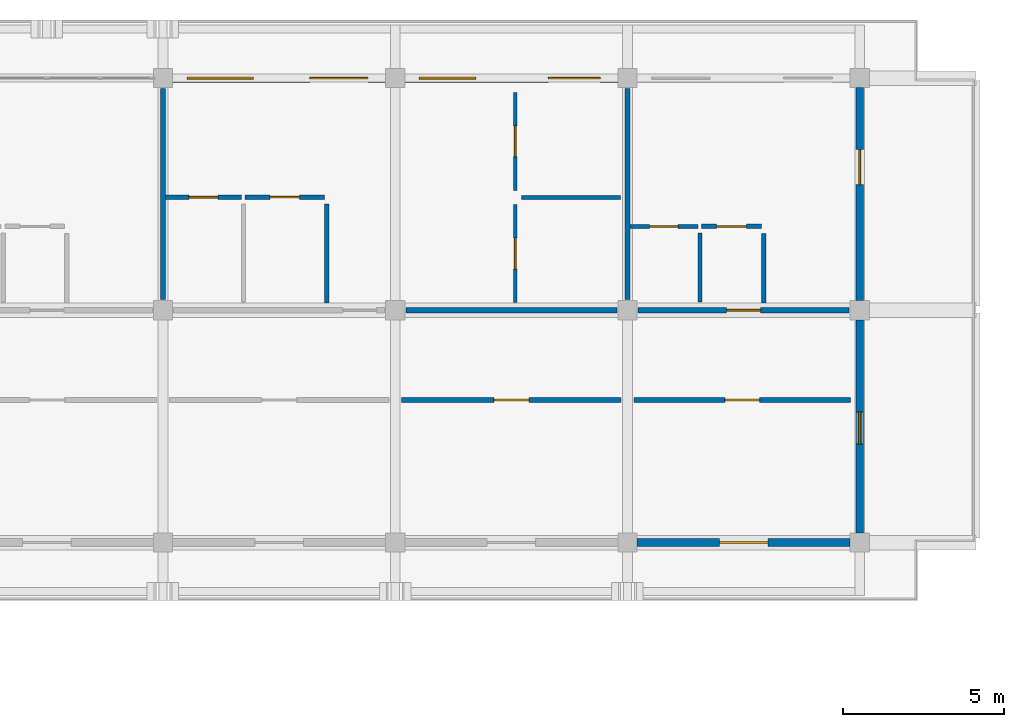
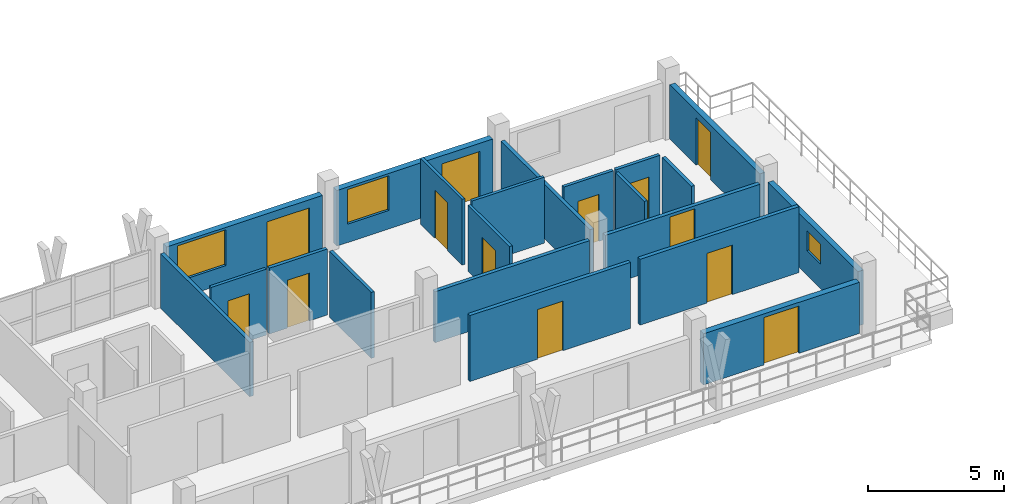
# One storey, part 42 of 65: 21 walls, 13 doors, 3 windows, 16 openings.
"""IFC4 building model written with IfcOpenShell, lengths in metres."""

from ifc_helpers import new_model, si_unit, direction, frame, frame_2d, origin, place, context, subcontext, project, spatial, rectangle, extrude, material, layer, layer_set, type_object, element, fill, save


model = new_model("IFC4")

# Units and contexts
model_context = context("Model", 3, precision=1e-05, world=origin(), true_north=direction((0.0, 1.0)))
body_context = subcontext(model_context, "Body", "Model", "MODEL_VIEW")
ifc_project = project(units=[si_unit("LENGTHUNIT", "METRE"), si_unit("AREAUNIT", "SQUARE_METRE"), si_unit("VOLUMEUNIT", "CUBIC_METRE"), si_unit("PLANEANGLEUNIT", "RADIAN"), si_unit("MASSUNIT", "GRAM", prefix="KILO")], contexts=[model_context])

# Site, building, storey
site_placement = place(None, origin())
site = spatial("IfcSite", under=ifc_project, at=site_placement, CompositionType="ELEMENT")
building_placement = place(site_placement, origin())
building = spatial("IfcBuilding", under=site, at=building_placement, Name="Suanplinth Sawtooth Commons", CompositionType="ELEMENT")
storey_placement = place(building_placement, frame((0.0, 0.0, 28.300048828125)))
storey = spatial("IfcBuildingStorey", under=building, at=storey_placement, Name="L08", CompositionType="ELEMENT", Elevation=28.300048828125)

# Wall, openings, door, window
ifc_material_1 = material(Name="Precast concrete C40/50", Category="concrete")
ifc_layer_1 = layer(ifc_material_1, 0.260009765625, Name="Insulated precast courtyard facade wall 260mm")
ifc_layer_set_1 = layer_set([ifc_layer_1], Name="Precast concrete C40/50")
wall_type_1 = type_object("IfcWallType", Name="W-EX02", PredefinedType="ELEMENTEDWALL", material=ifc_layer_set_1)
wall_1_placement = place(storey_placement, frame((79.5, 122.39990234375, 0.0), z_axis=(0.0, 0.0, 1.0), x_axis=(1.0, 0.0, 0.0)))
wall_1 = element("IfcWall", 1, at=wall_1_placement, inside=storey, type_object=wall_type_1, Name="Facade Wall W-L08-A-N-9", PredefinedType="ELEMENTEDWALL", context=body_context, shape_type="SweptSolid", body=[
    extrude(rectangle(XDim=6.60009765625, YDim=0.260009765625, at=frame_2d((3.300048828125, 0.0))), origin(), (0.0, 0.0, 1.0), 2.48486328125),
])
opening_1_placement = place(wall_1_placement, frame((4.25, 0.0, 0.0)))
opening_1 = element("IfcOpeningElement", 2, at=opening_1_placement, cuts=wall_1, Name="Opening ED0634", PredefinedType="OPENING", context=body_context, shape_type="SweptSolid", body=[
    extrude(rectangle(XDim=1.800048828125, YDim=2.1201171875, at=frame_2d((0.89990234375, 1.06005859375))), frame((0.0, 0.14501953125, 0.0), z_axis=(0.0, -1.0, 0.0), x_axis=(1.0, 0.0, 0.0)), (0.0, 0.0, 1.0), 0.289794921875),
])
opening_2_placement = place(wall_1_placement, frame((0.449951171875, 0.0, 0.77490234375)))
opening_2 = element("IfcOpeningElement", 3, at=opening_2_placement, cuts=wall_1, Name="Opening W0716", PredefinedType="OPENING", context=body_context, shape_type="SweptSolid", body=[
    extrude(rectangle(XDim=2.050048828125, YDim=1.60009765625, at=frame_2d((1.02490234375, 0.800048828125))), frame((0.0, 0.14501953125, 0.0), z_axis=(0.0, -1.0, 0.0), x_axis=(1.0, 0.0, 0.0)), (0.0, 0.0, 1.0), 0.289794921875),
])
ifc_material_2 = material(Name="Anodized aluminium and low-E glass", Category="aluminium")
door_type_1 = type_object("IfcDoorType", Name="SD-01", OperationType="SLIDING_TO_LEFT", PredefinedType="DOOR", material=ifc_material_2)
door_1_placement = place(opening_1_placement, frame((1.800048828125, 0.0, 0.0), z_axis=(0.0, 0.0, 1.0), x_axis=(-1.0, 0.0, 0.0)))
door_1 = element("IfcDoor", 4, at=door_1_placement, inside=storey, type_object=door_type_1, Name="Balcony Sliding Door L08-A-N-9", OperationType="SLIDING_TO_LEFT", OverallHeight=2.1201171875, OverallWidth=1.800048828125, PredefinedType="DOOR", context=body_context, shape_type="SweptSolid", body=[
    extrude(rectangle(XDim=1.800048828125, YDim=2.1201171875, at=frame_2d((0.89990234375, 1.06005859375))), frame((0.0, 0.02490234375, 0.0), z_axis=(0.0, -1.0, 0.0), x_axis=(1.0, 0.0, 0.0)), (0.0, 0.0, 1.0), 0.050048828125),
])
fill(opening_1, door_1)
ifc_material_3 = material(Name="Thermally broken aluminium and low-E double glazing", Category="aluminium")
window_type_1 = type_object("IfcWindowType", Name="WN-25", PartitioningType="DOUBLE_PANEL_VERTICAL", PredefinedType="WINDOW", material=ifc_material_3)
window_1_placement = place(opening_2_placement, origin())
window_1 = element("IfcWindow", 5, at=window_1_placement, inside=storey, type_object=window_type_1, Name="Window L08-A-N-9", OverallHeight=1.60009765625, OverallWidth=2.050048828125, PartitioningType="DOUBLE_PANEL_VERTICAL", PredefinedType="WINDOW", context=body_context, shape_type="SweptSolid", body=[
    extrude(rectangle(XDim=2.050048828125, YDim=1.60009765625, at=frame_2d((1.02490234375, 0.800048828125))), frame((0.0, 0.030029296875, 0.0), z_axis=(0.0, -1.0, 0.0), x_axis=(1.0, 0.0, 0.0)), (0.0, 0.0, 1.0), 0.06005859375),
])
fill(opening_2, window_1)

wall_2_placement = place(storey_placement, frame((86.699951171875, 122.39990234375, 0.0), z_axis=(0.0, 0.0, 1.0), x_axis=(1.0, 0.0, 0.0)))
wall_2 = element("IfcWall", 6, at=wall_2_placement, inside=storey, type_object=wall_type_1, Name="Facade Wall W-L08-A-N-10", PredefinedType="ELEMENTEDWALL", context=body_context, shape_type="SweptSolid", body=[
    extrude(rectangle(XDim=6.60009765625, YDim=0.260009765625, at=frame_2d((3.300048828125, 0.0))), origin(), (0.0, 0.0, 1.0), 2.48486328125),
])
opening_3_placement = place(wall_2_placement, frame((4.449951171875, 0.0, 0.0)))
opening_3 = element("IfcOpeningElement", 7, at=opening_3_placement, cuts=wall_2, Name="Opening ED0636", PredefinedType="OPENING", context=body_context, shape_type="SweptSolid", body=[
    extrude(rectangle(XDim=1.60009765625, YDim=2.1201171875, at=frame_2d((0.800048828125, 1.06005859375))), frame((0.0, 0.14501953125, 0.0), z_axis=(0.0, -1.0, 0.0), x_axis=(1.0, 0.0, 0.0)), (0.0, 0.0, 1.0), 0.289794921875),
])
opening_4_placement = place(wall_2_placement, frame((0.449951171875, 0.0, 0.824951171875)))
opening_4 = element("IfcOpeningElement", 8, at=opening_4_placement, cuts=wall_2, Name="Opening W0717", PredefinedType="OPENING", context=body_context, shape_type="SweptSolid", body=[
    extrude(rectangle(XDim=1.75, YDim=1.550048828125, at=frame_2d((0.875, 0.77490234375))), frame((0.0, 0.14501953125, 0.0), z_axis=(0.0, -1.0, 0.0), x_axis=(1.0, 0.0, 0.0)), (0.0, 0.0, 1.0), 0.289794921875),
])
door_type_2 = type_object("IfcDoorType", Name="SD-02", OperationType="SLIDING_TO_RIGHT", PredefinedType="DOOR", material=ifc_material_2)
door_2_placement = place(opening_3_placement, frame((1.60009765625, 0.0, 0.0), z_axis=(0.0, 0.0, 1.0), x_axis=(-1.0, 0.0, 0.0)))
door_2 = element("IfcDoor", 9, at=door_2_placement, inside=storey, type_object=door_type_2, Name="Balcony Sliding Door L08-A-N-10", OperationType="SLIDING_TO_RIGHT", OverallHeight=2.1201171875, OverallWidth=1.60009765625, PredefinedType="DOOR", context=body_context, shape_type="SweptSolid", body=[
    extrude(rectangle(XDim=1.60009765625, YDim=2.1201171875, at=frame_2d((0.800048828125, 1.06005859375))), frame((0.0, 0.02490234375, 0.0), z_axis=(0.0, -1.0, 0.0), x_axis=(1.0, 0.0, 0.0)), (0.0, 0.0, 1.0), 0.050048828125),
])
fill(opening_3, door_2)
window_type_2 = type_object("IfcWindowType", Name="WN-26", PartitioningType="DOUBLE_PANEL_VERTICAL", PredefinedType="WINDOW", material=ifc_material_3)
window_2_placement = place(opening_4_placement, origin())
window_2 = element("IfcWindow", 10, at=window_2_placement, inside=storey, type_object=window_type_2, Name="Window L08-A-N-10", OverallHeight=1.550048828125, OverallWidth=1.75, PartitioningType="DOUBLE_PANEL_VERTICAL", PredefinedType="WINDOW", context=body_context, shape_type="SweptSolid", body=[
    extrude(rectangle(XDim=1.75, YDim=1.550048828125, at=frame_2d((0.875, 0.77490234375))), frame((0.0, 0.030029296875, 0.0), z_axis=(0.0, -1.0, 0.0), x_axis=(1.0, 0.0, 0.0)), (0.0, 0.0, 1.0), 0.06005859375),
])
fill(opening_4, window_2)

# Wall, opening, door
wall_3_placement = place(storey_placement, frame((93.89990234375, 108.0, 0.0), z_axis=(0.0, 0.0, 1.0), x_axis=(1.0, 0.0, 0.0)))
wall_3 = element("IfcWall", 11, at=wall_3_placement, inside=storey, type_object=wall_type_1, Name="Courtyard Wall W-L08-A-S-11", PredefinedType="ELEMENTEDWALL", context=body_context, shape_type="SweptSolid", body=[
    extrude(rectangle(XDim=6.60009765625, YDim=0.260009765625, at=frame_2d((3.300048828125, 0.0))), origin(), (0.0, 0.0, 1.0), 2.284912109375),
])
opening_5_placement = place(wall_3_placement, frame((2.550048828125, 0.0, 0.0)))
opening_5 = element("IfcOpeningElement", 12, at=opening_5_placement, cuts=wall_3, Name="Opening ED0639", PredefinedType="OPENING", context=body_context, shape_type="SweptSolid", body=[
    extrude(rectangle(XDim=1.5, YDim=2.1201171875, at=frame_2d((0.75, 1.06005859375))), frame((0.0, 0.14501953125, 0.0), z_axis=(0.0, -1.0, 0.0), x_axis=(1.0, 0.0, 0.0)), (0.0, 0.0, 1.0), 0.289794921875),
])
door_type_3 = type_object("IfcDoorType", Name="SD-03", OperationType="SLIDING_TO_LEFT", PredefinedType="DOOR", material=ifc_material_2)
door_3_placement = place(opening_5_placement, frame((1.5, 0.0, 0.0), z_axis=(0.0, 0.0, 1.0), x_axis=(-1.0, 0.0, 0.0)))
door_3 = element("IfcDoor", 13, at=door_3_placement, inside=storey, type_object=door_type_3, Name="Courtyard Balcony Sliding Door L08-A-S-11", OperationType="SLIDING_TO_LEFT", OverallHeight=2.1201171875, OverallWidth=1.5, PredefinedType="DOOR", context=body_context, shape_type="SweptSolid", body=[
    extrude(rectangle(XDim=1.5, YDim=2.1201171875, at=frame_2d((0.75, 1.06005859375))), frame((0.0, 0.02490234375, 0.0), z_axis=(0.0, -1.0, 0.0), x_axis=(1.0, 0.0, 0.0)), (0.0, 0.0, 1.0), 0.050048828125),
])
fill(opening_5, door_3)

# Wall, opening, window
ifc_layer_2 = layer(ifc_material_1, 0.22998046875, Name="Stepped terrace insulated precast wall 230mm")
ifc_layer_set_2 = layer_set([ifc_layer_2], Name="Precast concrete C40/50")
wall_type_2 = type_object("IfcWallType", Name="W-EX06", PredefinedType="ELEMENTEDWALL", material=ifc_layer_set_2)
wall_4_placement = place(storey_placement, frame((100.800048828125, 108.300048828125, 0.0), z_axis=(0.0, 0.0, 1.0), x_axis=(0.0, 1.0, 0.0)))
wall_4 = element("IfcWall", 14, at=wall_4_placement, inside=storey, type_object=wall_type_2, Name="End Wall W-L08-A-E-15", PredefinedType="ELEMENTEDWALL", context=body_context, shape_type="SweptSolid", body=[
    extrude(rectangle(XDim=6.599853515625, YDim=0.22998046875, at=frame_2d((3.2998046875, 0.0))), origin(), (0.0, 0.0, 1.0), 2.43505859375),
])
opening_6_placement = place(wall_4_placement, frame((2.75, 0.0, 1.10009765625)))
opening_6 = element("IfcOpeningElement", 15, at=opening_6_placement, cuts=wall_4, Name="Opening W0720", PredefinedType="OPENING", context=body_context, shape_type="SweptSolid", body=[
    extrude(rectangle(XDim=1.0, YDim=0.89990234375, at=frame_2d((0.5, 0.449951171875))), frame((0.0, 0.1298828125, 0.0), z_axis=(0.0, -1.0, 0.0), x_axis=(1.0, 0.0, 0.0)), (0.0, 0.0, 1.0), 0.259765625),
])
window_type_3 = type_object("IfcWindowType", Name="WN-12", PartitioningType="SINGLE_PANEL", PredefinedType="WINDOW", material=ifc_material_3)
window_3_placement = place(opening_6_placement, origin())
window_3 = element("IfcWindow", 16, at=window_3_placement, inside=storey, type_object=window_type_3, Name="End Window L08-A-E-15", OverallHeight=0.89990234375, OverallWidth=1.0, PartitioningType="SINGLE_PANEL", PredefinedType="WINDOW", context=body_context, shape_type="SweptSolid", body=[
    extrude(rectangle(XDim=1.0, YDim=0.89990234375, at=frame_2d((0.5, 0.449951171875))), frame((0.0, 0.030029296875, 0.0), z_axis=(0.0, -1.0, 0.0), x_axis=(1.0, 0.0, 0.0)), (0.0, 0.0, 1.0), 0.06005859375),
])
fill(opening_6, window_3)

# Wall, opening, door
wall_5_placement = place(storey_placement, frame((100.800048828125, 115.5, 0.0), z_axis=(0.0, 0.0, 1.0), x_axis=(0.0, 1.0, 0.0)))
wall_5 = element("IfcWall", 17, at=wall_5_placement, inside=storey, type_object=wall_type_2, Name="End Wall W-L08-A-E-16", PredefinedType="ELEMENTEDWALL", context=body_context, shape_type="SweptSolid", body=[
    extrude(rectangle(XDim=6.60009765625, YDim=0.22998046875, at=frame_2d((3.300048828125, 0.0))), origin(), (0.0, 0.0, 1.0), 2.43505859375),
])
opening_7_placement = place(wall_5_placement, frame((3.60009765625, 0.0, 0.0)))
opening_7 = element("IfcOpeningElement", 18, at=opening_7_placement, cuts=wall_5, Name="Opening ED0641", PredefinedType="OPENING", context=body_context, shape_type="SweptSolid", body=[
    extrude(rectangle(XDim=1.080078125, YDim=2.1201171875, at=frame_2d((0.5400390625, 1.06005859375))), frame((0.0, 0.1298828125, 0.0), z_axis=(0.0, -1.0, 0.0), x_axis=(1.0, 0.0, 0.0)), (0.0, 0.0, 1.0), 0.259765625),
])
door_type_4 = type_object("IfcDoorType", Name="ED-10", OperationType="NOTDEFINED", PredefinedType="DOOR", material=ifc_material_2)
door_4_placement = place(opening_7_placement, frame((1.080078125, 0.0, 0.0), z_axis=(0.0, 0.0, 1.0), x_axis=(-1.0, 0.0, 0.0)))
door_4 = element("IfcDoor", 19, at=door_4_placement, inside=storey, type_object=door_type_4, Name="L08 Block A E Stepped Terrace Door", OperationType="SINGLE_SWING_LEFT", OverallHeight=2.1201171875, OverallWidth=1.080078125, PredefinedType="DOOR", context=body_context, shape_type="SweptSolid", body=[
    extrude(rectangle(XDim=1.080078125, YDim=2.1201171875, at=frame_2d((0.5400390625, 1.06005859375))), frame((0.0, 0.02490234375, 0.0), z_axis=(0.0, -1.0, 0.0), x_axis=(1.0, 0.0, 0.0)), (0.0, 0.0, 1.0), 0.050048828125),
])
fill(opening_7, door_4)

# Wall
ifc_layer_3 = layer(ifc_material_1, 0.159912109375, Name="Fire-rated corridor and lobby wall 160mm")
ifc_layer_set_3 = layer_set([ifc_layer_3], Name="Precast concrete C40/50")
wall_type_3 = type_object("IfcWallType", Name="W-FW01", PredefinedType="PARTITIONING", material=ifc_layer_set_3)
wall_6_placement = place(storey_placement, frame((86.72998046875, 115.199951171875, 0.0), z_axis=(0.0, 0.0, 1.0), x_axis=(1.0, 0.0, 0.0)))
element("IfcWall", 20, at=wall_6_placement, inside=storey, type_object=wall_type_3, Name="W-A-L08-U08-COR-S2", PredefinedType="PARTITIONING", context=body_context, shape_type="SweptSolid", body=[
    extrude(rectangle(XDim=6.5400390625, YDim=0.159912109375, at=frame_2d((3.27001953125, 0.0))), origin(), (0.0, 0.0, 1.0), 2.284912109375),
])

# Wall, opening, door
wall_7_placement = place(storey_placement, frame((93.929931640625, 115.199951171875, 0.0), z_axis=(0.0, 0.0, 1.0), x_axis=(1.0, 0.0, 0.0)))
wall_7 = element("IfcWall", 21, at=wall_7_placement, inside=storey, type_object=wall_type_3, Name="W-A-L08-U09-COR", PredefinedType="PARTITIONING", context=body_context, shape_type="SweptSolid", body=[
    extrude(rectangle(XDim=6.5400390625, YDim=0.159912109375, at=frame_2d((3.27001953125, 0.0))), origin(), (0.0, 0.0, 1.0), 2.284912109375),
])
opening_8_placement = place(wall_7_placement, frame((2.7451171875, 0.0, 0.0)))
opening_8 = element("IfcOpeningElement", 22, at=opening_8_placement, cuts=wall_7, Name="Opening FD1658", PredefinedType="OPENING", context=body_context, shape_type="SweptSolid", body=[
    extrude(rectangle(XDim=1.050048828125, YDim=2.14990234375, at=frame_2d((0.52490234375, 1.074951171875))), frame((0.0, 0.0947265625, 0.0), z_axis=(0.0, -1.0, 0.0), x_axis=(1.0, 0.0, 0.0)), (0.0, 0.0, 1.0), 0.189697265625),
])
ifc_material_4 = material(Name="Teak hardwood fire-rated door assembly", Category="wood")
door_type_5 = type_object("IfcDoorType", Name="FD-04", OperationType="NOTDEFINED", PredefinedType="DOOR", material=ifc_material_4)
door_5_placement = place(opening_8_placement, origin())
door_5 = element("IfcDoor", 23, at=door_5_placement, inside=storey, type_object=door_type_5, Name="Unit Entrance Door FD1658", OperationType="SINGLE_SWING_RIGHT", OverallHeight=2.14990234375, OverallWidth=1.050048828125, PredefinedType="DOOR", context=body_context, shape_type="SweptSolid", body=[
    extrude(rectangle(XDim=1.050048828125, YDim=2.14990234375, at=frame_2d((0.52490234375, 1.074951171875))), frame((0.0, 0.02490234375, 0.0), z_axis=(0.0, -1.0, 0.0), x_axis=(1.0, 0.0, 0.0)), (0.0, 0.0, 1.0), 0.050048828125),
])
fill(opening_8, door_5)

wall_8_placement = place(storey_placement, frame((86.60009765625, 112.419921875, 0.0), z_axis=(0.0, 0.0, 1.0), x_axis=(1.0, 0.0, 0.0)))
wall_8 = element("IfcWall", 24, at=wall_8_placement, inside=storey, type_object=wall_type_3, Name="W-A-L08-COURTROOM-15-COR", PredefinedType="PARTITIONING", context=body_context, shape_type="SweptSolid", body=[
    extrude(rectangle(XDim=6.7998046875, YDim=0.159912109375, at=frame_2d((3.39990234375, 0.0))), origin(), (0.0, 0.0, 1.0), 2.949951171875),
])
opening_9_placement = place(wall_8_placement, frame((2.860107421875, 0.0, 0.0)))
opening_9 = element("IfcOpeningElement", 25, at=opening_9_placement, cuts=wall_8, Name="Opening D1667", PredefinedType="OPENING", context=body_context, shape_type="SweptSolid", body=[
    extrude(rectangle(XDim=1.080078125, YDim=2.219970703125, at=frame_2d((0.5400390625, 1.10986328125))), frame((0.0, 0.0947265625, 0.0), z_axis=(0.0, -1.0, 0.0), x_axis=(1.0, 0.0, 0.0)), (0.0, 0.0, 1.0), 0.189697265625),
])
ifc_material_5 = material(Name="Teak hardwood", Category="wood")
door_type_6 = type_object("IfcDoorType", Name="D-17", OperationType="NOTDEFINED", PredefinedType="DOOR", material=ifc_material_5)
door_6_placement = place(opening_9_placement, frame((1.080078125, 0.0, 0.0), z_axis=(0.0, 0.0, 1.0), x_axis=(-1.0, 0.0, 0.0)))
door_6 = element("IfcDoor", 26, at=door_6_placement, inside=storey, type_object=door_type_6, Name="Study Studio Door D1667", OperationType="SINGLE_SWING_LEFT", OverallHeight=2.219970703125, OverallWidth=1.080078125, PredefinedType="DOOR", context=body_context, shape_type="SweptSolid", body=[
    extrude(rectangle(XDim=1.080078125, YDim=2.219970703125, at=frame_2d((0.5400390625, 1.10986328125))), frame((0.0, 0.02490234375, 0.0), z_axis=(0.0, -1.0, 0.0), x_axis=(1.0, 0.0, 0.0)), (0.0, 0.0, 1.0), 0.050048828125),
])
fill(opening_9, door_6)

wall_9_placement = place(storey_placement, frame((93.800048828125, 112.419921875, 0.0), z_axis=(0.0, 0.0, 1.0), x_axis=(1.0, 0.0, 0.0)))
wall_9 = element("IfcWall", 27, at=wall_9_placement, inside=storey, type_object=wall_type_3, Name="W-A-L08-COURTROOM-16-COR", PredefinedType="PARTITIONING", context=body_context, shape_type="SweptSolid", body=[
    extrude(rectangle(XDim=6.719970703125, YDim=0.159912109375, at=frame_2d((3.35986328125, 0.0))), origin(), (0.0, 0.0, 1.0), 2.949951171875),
])
opening_10_placement = place(wall_9_placement, frame((2.820068359375, 0.0, 0.0)))
opening_10 = element("IfcOpeningElement", 28, at=opening_10_placement, cuts=wall_9, Name="Opening D1668", PredefinedType="OPENING", context=body_context, shape_type="SweptSolid", body=[
    extrude(rectangle(XDim=1.080078125, YDim=2.219970703125, at=frame_2d((0.5400390625, 1.10986328125))), frame((0.0, 0.0947265625, 0.0), z_axis=(0.0, -1.0, 0.0), x_axis=(1.0, 0.0, 0.0)), (0.0, 0.0, 1.0), 0.189697265625),
])
door_7_placement = place(opening_10_placement, frame((1.080078125, 0.0, 0.0), z_axis=(0.0, 0.0, 1.0), x_axis=(-1.0, 0.0, 0.0)))
door_7 = element("IfcDoor", 29, at=door_7_placement, inside=storey, type_object=door_type_6, Name="Study Studio Door D1668", OperationType="SINGLE_SWING_RIGHT", OverallHeight=2.219970703125, OverallWidth=1.080078125, PredefinedType="DOOR", context=body_context, shape_type="SweptSolid", body=[
    extrude(rectangle(XDim=1.080078125, YDim=2.219970703125, at=frame_2d((0.5400390625, 1.10986328125))), frame((0.0, 0.02490234375, 0.0), z_axis=(0.0, -1.0, 0.0), x_axis=(1.0, 0.0, 0.0)), (0.0, 0.0, 1.0), 0.050048828125),
])
fill(opening_10, door_7)

# Walls
ifc_layer_4 = layer(ifc_material_1, 0.14990234375, Name="Acoustic precast party demising wall 150mm")
ifc_layer_set_4 = layer_set([ifc_layer_4], Name="Precast concrete C40/50")
wall_type_4 = type_object("IfcWallType", Name="W-FW02", PredefinedType="PARTITIONING", material=ifc_layer_set_4)
for number, where, z_axis, x_axis, name in (
    (30, (79.199951171875, 115.530029296875, 0.0), (0.0, 0.0, 1.0), (0.0, 1.0, 0.0), "W-A-L08-U07-PTY"),
    (31, (93.60009765625, 115.530029296875, 0.0), (0.0, 0.0, 1.0), (0.0, 1.0, 0.0), "W-A-L08-U08-PTY"),
):
    element("IfcWall", number, at=place(storey_placement, frame(where, z_axis=z_axis, x_axis=x_axis)), inside=storey, type_object=wall_type_4, Name=name, PredefinedType="PARTITIONING", context=body_context, shape_type="SweptSolid", body=[
        extrude(rectangle(XDim=6.5400390625, YDim=0.14990234375, at=frame_2d((3.27001953125, 0.0))), origin(), (0.0, 0.0, 1.0), 2.43505859375),
    ])

# Wall, opening, door
ifc_material_6 = material(Name="Gypsum plasterboard on steel stud", Category="steel")
ifc_layer_5 = layer(ifc_material_6, 0.139892578125, Name="Fire-rated kitchen partition 140mm")
ifc_layer_set_5 = layer_set([ifc_layer_5], Name="Gypsum plasterboard on steel stud")
wall_type_5 = type_object("IfcWallType", Name="W-PT01", PredefinedType="PARTITIONING", material=ifc_layer_set_5)
wall_10_placement = place(storey_placement, frame((81.75, 118.7099609375, 0.0), z_axis=(0.0, 0.0, 1.0), x_axis=(1.0, 0.0, 0.0)))
wall_10 = element("IfcWall", 32, at=wall_10_placement, inside=storey, type_object=wall_type_5, Name="W-A-L08-U08-KIT1", PredefinedType="PARTITIONING", context=body_context, shape_type="SweptSolid", body=[
    extrude(rectangle(XDim=2.449951171875, YDim=0.139892578125, at=frame_2d((1.22509765625, 0.0))), origin(), (0.0, 0.0, 1.0), 2.949951171875),
])
opening_11_placement = place(wall_10_placement, frame((0.760009765625, 0.0, 0.0)))
opening_11 = element("IfcOpeningElement", 33, at=opening_11_placement, cuts=wall_10, Name="Opening D1655", PredefinedType="OPENING", context=body_context, shape_type="SweptSolid", body=[
    extrude(rectangle(XDim=0.929931640625, YDim=2.139892578125, at=frame_2d((0.46484375, 1.06982421875))), frame((0.0, 0.0849609375, 0.0), z_axis=(0.0, -1.0, 0.0), x_axis=(1.0, 0.0, 0.0)), (0.0, 0.0, 1.0), 0.169677734375),
])
door_type_7 = type_object("IfcDoorType", Name="D-19", OperationType="NOTDEFINED", PredefinedType="DOOR", material=ifc_material_5)
door_8_placement = place(opening_11_placement, frame((0.929931640625, 0.0, 0.0), z_axis=(0.0, 0.0, 1.0), x_axis=(-1.0, 0.0, 0.0)))
door_8 = element("IfcDoor", 34, at=door_8_placement, inside=storey, type_object=door_type_7, Name="Kitchen Door D1655", OperationType="SINGLE_SWING_LEFT", OverallHeight=2.139892578125, OverallWidth=0.929931640625, PredefinedType="DOOR", context=body_context, shape_type="SweptSolid", body=[
    extrude(rectangle(XDim=0.929931640625, YDim=2.139892578125, at=frame_2d((0.46484375, 1.06982421875))), frame((0.0, 0.02490234375, 0.0), z_axis=(0.0, -1.0, 0.0), x_axis=(1.0, 0.0, 0.0)), (0.0, 0.0, 1.0), 0.050048828125),
])
fill(opening_11, door_8)

# Wall
wall_11_placement = place(storey_placement, frame((84.27001953125, 115.429931640625, 0.0), z_axis=(0.0, 0.0, 1.0), x_axis=(0.0, 1.0, 0.0)))
element("IfcWall", 35, at=wall_11_placement, inside=storey, type_object=wall_type_5, Name="W-A-L08-U08-KIT2", PredefinedType="PARTITIONING", context=body_context, shape_type="SweptSolid", body=[
    extrude(rectangle(XDim=3.06005859375, YDim=0.139892578125, at=frame_2d((1.530029296875, 0.0))), origin(), (0.0, 0.0, 1.0), 2.949951171875),
])

# Wall, opening, door
wall_12_placement = place(storey_placement, frame((95.89990234375, 117.800048828125, 0.0), z_axis=(0.0, 0.0, 1.0), x_axis=(1.0, 0.0, 0.0)))
wall_12 = element("IfcWall", 36, at=wall_12_placement, inside=storey, type_object=wall_type_5, Name="W-A-L08-U09-KIT1", PredefinedType="PARTITIONING", context=body_context, shape_type="SweptSolid", body=[
    extrude(rectangle(XDim=1.85009765625, YDim=0.139892578125, at=frame_2d((0.925048828125, 0.0))), origin(), (0.0, 0.0, 1.0), 2.949951171875),
])
opening_12_placement = place(wall_12_placement, frame((0.4599609375, 0.0, 0.0)))
opening_12 = element("IfcOpeningElement", 37, at=opening_12_placement, cuts=wall_12, Name="Opening D1660", PredefinedType="OPENING", context=body_context, shape_type="SweptSolid", body=[
    extrude(rectangle(XDim=0.929931640625, YDim=2.139892578125, at=frame_2d((0.46484375, 1.06982421875))), frame((0.0, 0.0849609375, 0.0), z_axis=(0.0, -1.0, 0.0), x_axis=(1.0, 0.0, 0.0)), (0.0, 0.0, 1.0), 0.169677734375),
])
door_9_placement = place(opening_12_placement, frame((0.929931640625, 0.0, 0.0), z_axis=(0.0, 0.0, 1.0), x_axis=(-1.0, 0.0, 0.0)))
door_9 = element("IfcDoor", 38, at=door_9_placement, inside=storey, type_object=door_type_7, Name="Kitchen Door D1660", OperationType="SINGLE_SWING_RIGHT", OverallHeight=2.139892578125, OverallWidth=0.929931640625, PredefinedType="DOOR", context=body_context, shape_type="SweptSolid", body=[
    extrude(rectangle(XDim=0.929931640625, YDim=2.139892578125, at=frame_2d((0.46484375, 1.06982421875))), frame((0.0, 0.02490234375, 0.0), z_axis=(0.0, -1.0, 0.0), x_axis=(1.0, 0.0, 0.0)), (0.0, 0.0, 1.0), 0.050048828125),
])
fill(opening_12, door_9)

# Wall
wall_13_placement = place(storey_placement, frame((97.820068359375, 115.429931640625, 0.0), z_axis=(0.0, 0.0, 1.0), x_axis=(0.0, 1.0, 0.0)))
element("IfcWall", 39, at=wall_13_placement, inside=storey, type_object=wall_type_5, Name="W-A-L08-U09-KIT2", PredefinedType="PARTITIONING", context=body_context, shape_type="SweptSolid", body=[
    extrude(rectangle(XDim=2.150146484375, YDim=0.139892578125, at=frame_2d((1.0751953125, 0.0))), origin(), (0.0, 0.0, 1.0), 2.949951171875),
])

# Wall, opening, door
ifc_layer_6 = layer(ifc_material_6, 0.1298828125, Name="Moisture-resistant bathroom partition 130mm")
ifc_layer_set_6 = layer_set([ifc_layer_6], Name="Gypsum plasterboard on steel stud")
wall_type_6 = type_object("IfcWallType", Name="W-PT02", PredefinedType="PARTITIONING", material=ifc_layer_set_6)
wall_14_placement = place(storey_placement, frame((79.280029296875, 118.705078125, 0.0), z_axis=(0.0, 0.0, 1.0), x_axis=(1.0, 0.0, 0.0)))
wall_14 = element("IfcWall", 40, at=wall_14_placement, inside=storey, type_object=wall_type_6, Name="W-A-L08-U08-BTH1", PredefinedType="PARTITIONING", context=body_context, shape_type="SweptSolid", body=[
    extrude(rectangle(XDim=2.349853515625, YDim=0.1298828125, at=frame_2d((1.1748046875, 0.0))), origin(), (0.0, 0.0, 1.0), 2.949951171875),
])
opening_13_placement = place(wall_14_placement, frame((0.72509765625, 0.0, 0.0)))
opening_13 = element("IfcOpeningElement", 41, at=opening_13_placement, cuts=wall_14, Name="Opening D1654", PredefinedType="OPENING", context=body_context, shape_type="SweptSolid", body=[
    extrude(rectangle(XDim=0.89990234375, YDim=2.10009765625, at=frame_2d((0.449951171875, 1.050048828125))), frame((0.0, 0.079833984375, 0.0), z_axis=(0.0, -1.0, 0.0), x_axis=(1.0, 0.0, 0.0)), (0.0, 0.0, 1.0), 0.15966796875),
])
door_type_8 = type_object("IfcDoorType", Name="D-01", OperationType="NOTDEFINED", PredefinedType="DOOR", material=ifc_material_5)
door_10_placement = place(opening_13_placement, frame((0.89990234375, 0.0, 0.0), z_axis=(0.0, 0.0, 1.0), x_axis=(-1.0, 0.0, 0.0)))
door_10 = element("IfcDoor", 42, at=door_10_placement, inside=storey, type_object=door_type_8, Name="Bathroom Door D1654", OperationType="SINGLE_SWING_RIGHT", OverallHeight=2.10009765625, OverallWidth=0.89990234375, PredefinedType="DOOR", context=body_context, shape_type="SweptSolid", body=[
    extrude(rectangle(XDim=0.89990234375, YDim=2.10009765625, at=frame_2d((0.449951171875, 1.050048828125))), frame((0.0, 0.02490234375, 0.0), z_axis=(0.0, -1.0, 0.0), x_axis=(1.0, 0.0, 0.0)), (0.0, 0.0, 1.0), 0.050048828125),
])
fill(opening_13, door_10)

wall_15_placement = place(storey_placement, frame((93.679931640625, 117.794921875, 0.0), z_axis=(0.0, 0.0, 1.0), x_axis=(1.0, 0.0, 0.0)))
wall_15 = element("IfcWall", 43, at=wall_15_placement, inside=storey, type_object=wall_type_6, Name="W-A-L08-U09-BTH1", PredefinedType="PARTITIONING", context=body_context, shape_type="SweptSolid", body=[
    extrude(rectangle(XDim=2.10009765625, YDim=0.1298828125, at=frame_2d((1.050048828125, 0.0))), origin(), (0.0, 0.0, 1.0), 2.949951171875),
])
opening_14_placement = place(wall_15_placement, frame((0.610107421875, 0.0, 0.0)))
opening_14 = element("IfcOpeningElement", 44, at=opening_14_placement, cuts=wall_15, Name="Opening D1659", PredefinedType="OPENING", context=body_context, shape_type="SweptSolid", body=[
    extrude(rectangle(XDim=0.8798828125, YDim=2.10009765625, at=frame_2d((0.43994140625, 1.050048828125))), frame((0.0, 0.079833984375, 0.0), z_axis=(0.0, -1.0, 0.0), x_axis=(1.0, 0.0, 0.0)), (0.0, 0.0, 1.0), 0.15966796875),
])
door_type_9 = type_object("IfcDoorType", Name="D-14", OperationType="NOTDEFINED", PredefinedType="DOOR", material=ifc_material_5)
door_11_placement = place(opening_14_placement, frame((0.8798828125, 0.0, 0.0), z_axis=(0.0, 0.0, 1.0), x_axis=(-1.0, 0.0, 0.0)))
door_11 = element("IfcDoor", 45, at=door_11_placement, inside=storey, type_object=door_type_9, Name="Bathroom Door D1659", OperationType="SINGLE_SWING_LEFT", OverallHeight=2.10009765625, OverallWidth=0.8798828125, PredefinedType="DOOR", context=body_context, shape_type="SweptSolid", body=[
    extrude(rectangle(XDim=0.8798828125, YDim=2.10009765625, at=frame_2d((0.43994140625, 1.050048828125))), frame((0.0, 0.02490234375, 0.0), z_axis=(0.0, -1.0, 0.0), x_axis=(1.0, 0.0, 0.0)), (0.0, 0.0, 1.0), 0.050048828125),
])
fill(opening_14, door_11)

# Wall
wall_16_placement = place(storey_placement, frame((95.844970703125, 115.4599609375, 0.0), z_axis=(0.0, 0.0, 1.0), x_axis=(0.0, 1.0, 0.0)))
element("IfcWall", 46, at=wall_16_placement, inside=storey, type_object=wall_type_6, Name="W-A-L08-U09-BTH2", PredefinedType="PARTITIONING", context=body_context, shape_type="SweptSolid", body=[
    extrude(rectangle(XDim=2.130126953125, YDim=0.1298828125, at=frame_2d((1.06494140625, 0.0))), origin(), (0.0, 0.0, 1.0), 2.949951171875),
])

# Wall, opening, door
ifc_layer_7 = layer(ifc_material_6, 0.1201171875, Name="Acoustic bedroom partition 120mm")
ifc_layer_set_7 = layer_set([ifc_layer_7], Name="Gypsum plasterboard on steel stud")
wall_type_7 = type_object("IfcWallType", Name="W-PT03", PredefinedType="PARTITIONING", material=ifc_layer_set_7)
wall_17_placement = place(storey_placement, frame((90.1201171875, 118.919921875, 0.0), z_axis=(0.0, 0.0, 1.0), x_axis=(0.0, 1.0, 0.0)))
wall_17 = element("IfcWall", 47, at=wall_17_placement, inside=storey, type_object=wall_type_7, Name="W-A-L08-U08-BED1", PredefinedType="PARTITIONING", context=body_context, shape_type="SweptSolid", body=[
    extrude(rectangle(XDim=3.0400390625, YDim=0.1201171875, at=frame_2d((1.52001953125, 0.0))), origin(), (0.0, 0.0, 1.0), 2.949951171875),
])
opening_15_placement = place(wall_17_placement, frame((1.044921875, 0.0, 0.0)))
opening_15 = element("IfcOpeningElement", 48, at=opening_15_placement, cuts=wall_17, Name="Opening D1656", PredefinedType="OPENING", context=body_context, shape_type="SweptSolid", body=[
    extrude(rectangle(XDim=0.949951171875, YDim=2.14990234375, at=frame_2d((0.47509765625, 1.074951171875))), frame((0.0, 0.074951171875, 0.0), z_axis=(0.0, -1.0, 0.0), x_axis=(1.0, 0.0, 0.0)), (0.0, 0.0, 1.0), 0.14990234375),
])
door_type_10 = type_object("IfcDoorType", Name="D-03", OperationType="NOTDEFINED", PredefinedType="DOOR", material=ifc_material_5)
door_12_placement = place(opening_15_placement, frame((0.949951171875, 0.0, 0.0), z_axis=(0.0, 0.0, 1.0), x_axis=(-1.0, 0.0, 0.0)))
door_12 = element("IfcDoor", 49, at=door_12_placement, inside=storey, type_object=door_type_10, Name="Bedroom Door D1656", OperationType="SINGLE_SWING_RIGHT", OverallHeight=2.14990234375, OverallWidth=0.949951171875, PredefinedType="DOOR", context=body_context, shape_type="SweptSolid", body=[
    extrude(rectangle(XDim=0.949951171875, YDim=2.14990234375, at=frame_2d((0.47509765625, 1.074951171875))), frame((0.0, 0.02490234375, 0.0), z_axis=(0.0, -1.0, 0.0), x_axis=(1.0, 0.0, 0.0)), (0.0, 0.0, 1.0), 0.050048828125),
])
fill(opening_15, door_12)

wall_18_placement = place(storey_placement, frame((90.1201171875, 115.43994140625, 0.0), z_axis=(0.0, 0.0, 1.0), x_axis=(0.0, 1.0, 0.0)))
wall_18 = element("IfcWall", 50, at=wall_18_placement, inside=storey, type_object=wall_type_7, Name="W-A-L08-U08-BED2", PredefinedType="PARTITIONING", context=body_context, shape_type="SweptSolid", body=[
    extrude(rectangle(XDim=3.0400390625, YDim=0.1201171875, at=frame_2d((1.52001953125, 0.0))), origin(), (0.0, 0.0, 1.0), 2.949951171875),
])
opening_16_placement = place(wall_18_placement, frame((1.0400390625, 0.0, 0.0)))
opening_16 = element("IfcOpeningElement", 51, at=opening_16_placement, cuts=wall_18, Name="Opening D1657", PredefinedType="OPENING", context=body_context, shape_type="SweptSolid", body=[
    extrude(rectangle(XDim=0.9599609375, YDim=2.14990234375, at=frame_2d((0.47998046875, 1.074951171875))), frame((0.0, 0.074951171875, 0.0), z_axis=(0.0, -1.0, 0.0), x_axis=(1.0, 0.0, 0.0)), (0.0, 0.0, 1.0), 0.14990234375),
])
door_type_11 = type_object("IfcDoorType", Name="D-13", OperationType="NOTDEFINED", PredefinedType="DOOR", material=ifc_material_5)
door_13_placement = place(opening_16_placement, frame((0.9599609375, 0.0, 0.0), z_axis=(0.0, 0.0, 1.0), x_axis=(-1.0, 0.0, 0.0)))
door_13 = element("IfcDoor", 52, at=door_13_placement, inside=storey, type_object=door_type_11, Name="Second Bedroom Door D1657", OperationType="SINGLE_SWING_LEFT", OverallHeight=2.14990234375, OverallWidth=0.9599609375, PredefinedType="DOOR", context=body_context, shape_type="SweptSolid", body=[
    extrude(rectangle(XDim=0.9599609375, YDim=2.14990234375, at=frame_2d((0.47998046875, 1.074951171875))), frame((0.0, 0.02490234375, 0.0), z_axis=(0.0, -1.0, 0.0), x_axis=(1.0, 0.0, 0.0)), (0.0, 0.0, 1.0), 0.050048828125),
])
fill(opening_16, door_13)

# Wall
ifc_layer_8 = layer(ifc_material_6, 0.125, Name="Acoustic study partition 125mm")
ifc_layer_set_8 = layer_set([ifc_layer_8], Name="Gypsum plasterboard on steel stud")
wall_type_8 = type_object("IfcWallType", Name="W-PT06", PredefinedType="PARTITIONING", material=ifc_layer_set_8)
wall_19_placement = place(storey_placement, frame((90.320068359375, 118.699951171875, 0.0), z_axis=(0.0, 0.0, 1.0), x_axis=(1.0, 0.0, 0.0)))
element("IfcWall", 53, at=wall_19_placement, inside=storey, type_object=wall_type_8, Name="W-A-L08-U08-BEDDIV", PredefinedType="PARTITIONING", context=body_context, shape_type="SweptSolid", body=[
    extrude(rectangle(XDim=3.059814453125, YDim=0.125, at=frame_2d((1.52978515625, 0.0))), origin(), (0.0, 0.0, 1.0), 2.949951171875),
])

save(model, "model.ifc")
